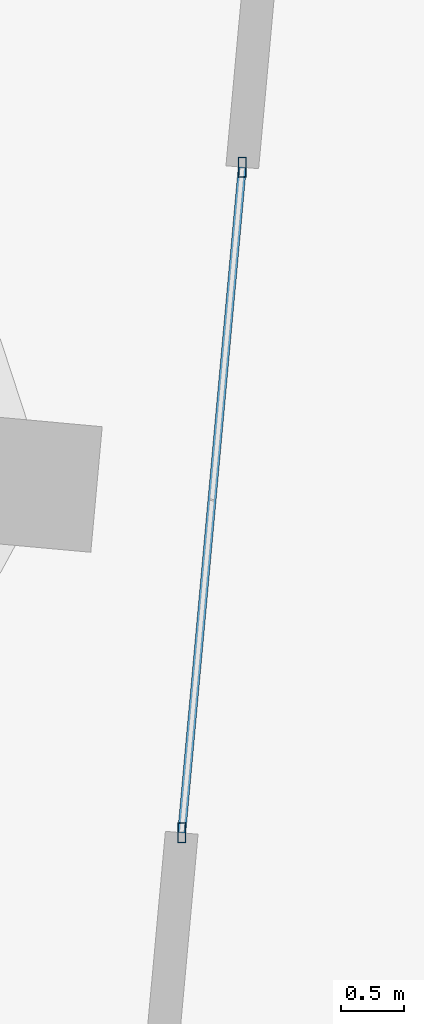
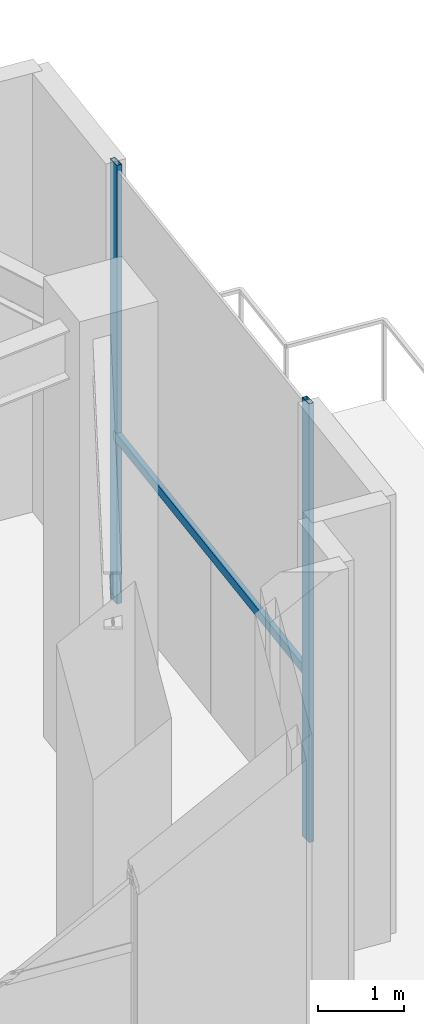
# One storey, part 10 of 18: 3 members, 1 element without a shape of its own.
"""IFC4 building model written with IfcOpenShell, lengths in metres."""

import ifcopenshell
import ifcopenshell.guid

model = None  # the IFC model being written
_history = None  # IfcOwnerHistory: only IFC2X3 demands one
_inside = {}  # id of a spatial element -> (the spatial element, [elements in it])
_under = {}  # id of a project, library or spatial element -> (it, [spatial elements below it])
_declared = {}  # id of a project -> (the project, [libraries it declares])
_typed = {}  # id of a type object -> (the type object, [elements of that type])
_made_of = {}  # id of a material, layer set ... -> (it, [elements and type objects made of it])


def new_model(schema):
    """Start an empty IFC model of exactly this schema.

    Asked for "IFC4X3", IfcOpenShell would pick the latest addendum, in which some entities
    have other attributes; the version numbers below select the first issue.
    IFC2X3 requires an IfcOwnerHistory on every rooted entity: one is made here for all.
    """
    global model, _history
    if schema == "IFC4X3":
        model = ifcopenshell.file(schema_version=(4, 3, 0, 0))
    else:
        model = ifcopenshell.file(schema=schema)
    _inside.clear()
    _under.clear()
    _declared.clear()
    _typed.clear()
    _made_of.clear()
    _history = None
    if model.schema == "IFC2X3":
        org = make("IfcOrganization", Name="unknown")
        user = make(
            "IfcPersonAndOrganization",
            ThePerson=make("IfcPerson", FamilyName="unknown"),
            TheOrganization=org,
        )
        app = make(
            "IfcApplication",
            ApplicationDeveloper=org,
            Version="unknown",
            ApplicationFullName="unknown",
            ApplicationIdentifier="unknown",
        )
        _history = make(
            "IfcOwnerHistory",
            OwningUser=user,
            OwningApplication=app,
            ChangeAction="ADDED",
            CreationDate=0,
        )
    return model


def make(cls, **values):
    """One entity of the class cls with the attributes given. An attribute that is None is left unset."""
    return model.create_entity(
        cls, **{name: value for name, value in values.items() if value is not None}
    )


def rooted(cls, **values):
    """An entity with a GlobalId (a new one), such as an element, a storey or a relation."""
    return make(cls, GlobalId=ifcopenshell.guid.new(), OwnerHistory=_history, **values)


def si_unit(unit_type, name, prefix=None):
    """IfcSIUnit, for example si_unit("LENGTHUNIT", "METRE", prefix="MILLI")."""
    return make("IfcSIUnit", UnitType=unit_type, Prefix=prefix, Name=name)


def assignment(units):
    """IfcUnitAssignment: the units of a project."""
    return None if units is None else make("IfcUnitAssignment", Units=units)


def point(xyz):
    """IfcCartesianPoint."""
    return None if xyz is None else make("IfcCartesianPoint", Coordinates=xyz)


def direction(xyz):
    """IfcDirection."""
    return None if xyz is None else make("IfcDirection", DirectionRatios=xyz)


def frame(location, z_axis=None, x_axis=None):
    """IfcAxis2Placement3D, a coordinate frame: its origin and axes. An axis left out is left unset."""
    return make(
        "IfcAxis2Placement3D",
        Location=point(location),
        Axis=direction(z_axis),
        RefDirection=direction(x_axis),
    )


def frame_2d(location, x_axis=None):
    """IfcAxis2Placement2D, a coordinate frame in the plane: its origin and x axis."""
    return make(
        "IfcAxis2Placement2D", Location=point(location), RefDirection=direction(x_axis)
    )


def origin():
    """The frame at (0, 0, 0) with its axes left unset."""
    return frame((0.0, 0.0, 0.0))


def origin_2d():
    """The frame at (0, 0) in the plane with its x axis left unset."""
    return frame_2d((0.0, 0.0))


def place(relative_to, where):
    """IfcLocalPlacement: puts the frame where relative to a parent placement (None: the world)."""
    return make(
        "IfcLocalPlacement", PlacementRelTo=relative_to, RelativePlacement=where
    )


def context(
    kind, dimensions, precision=None, world=None, true_north=None, identifier=None
):
    """IfcGeometricRepresentationContext, for example the 3D "Model" context."""
    return make(
        "IfcGeometricRepresentationContext",
        ContextIdentifier=identifier,
        ContextType=kind,
        CoordinateSpaceDimension=dimensions,
        Precision=precision,
        WorldCoordinateSystem=world,
        TrueNorth=true_north,
    )


def subcontext(parent, identifier, kind, view, scale=None):
    """IfcGeometricRepresentationSubContext, for example "Body" below "Model"."""
    return make(
        "IfcGeometricRepresentationSubContext",
        ContextIdentifier=identifier,
        ContextType=kind,
        ParentContext=parent,
        TargetScale=scale,
        TargetView=view,
    )


def project(units=None, contexts=None):
    """IfcProject with its units and contexts."""
    return rooted(
        "IfcProject",
        Name="project",
        RepresentationContexts=contexts,
        UnitsInContext=assignment(units),
    )


def spatial(cls, under=None, at=None, **own):
    """A site, building, storey or space (cls), placed at a placement, below another one or the project."""
    s = rooted(cls, ObjectPlacement=at, **own)
    if under is not None:
        _under.setdefault(under.id(), (under, []))[1].append(s)
    return s


def profile(cls, at=None, kind="AREA", **sizes):
    """A parametric profile (cls). Its sizes go by their IFC names, for example OverallWidth=200.0."""
    return make(cls, ProfileType=kind, Position=at, **sizes)


def hollow_rectangle(**sizes):
    """IfcRectangleHollowProfileDef."""
    return profile("IfcRectangleHollowProfileDef", **sizes)


def extrude(swept, where, along, depth):
    """IfcExtrudedAreaSolid: the profile swept, set in the frame where, extruded along a direction by depth."""
    return make(
        "IfcExtrudedAreaSolid",
        SweptArea=swept,
        Position=where,
        ExtrudedDirection=direction(along),
        Depth=depth,
    )


def shape(context_of_items, identifier, shape_type, items):
    """IfcShapeRepresentation: the items that make up one representation, for example the "Body"."""
    return make(
        "IfcShapeRepresentation",
        ContextOfItems=context_of_items,
        RepresentationIdentifier=identifier,
        RepresentationType=shape_type,
        Items=items,
    )


def source(mapping_origin, context_of_items, identifier, shape_type, items):
    """IfcRepresentationMap: a shape defined once, which mapped items show again and again."""
    return make(
        "IfcRepresentationMap",
        MappingOrigin=mapping_origin,
        MappedRepresentation=shape(context_of_items, identifier, shape_type, items),
    )


def transform(
    local_origin,
    x_axis=None,
    y_axis=None,
    z_axis=None,
    scale=None,
    scale2=None,
    scale3=None,
    uniform=True,
):
    """IfcCartesianTransformationOperator3D, or its non-uniform kind. x_axis, y_axis, z_axis: its Axis1, 2, 3."""
    if uniform:
        return make(
            "IfcCartesianTransformationOperator3D",
            Axis1=direction(x_axis),
            Axis2=direction(y_axis),
            LocalOrigin=point(local_origin),
            Scale=scale,
            Axis3=direction(z_axis),
        )
    return make(
        "IfcCartesianTransformationOperator3DnonUniform",
        Axis1=direction(x_axis),
        Axis2=direction(y_axis),
        LocalOrigin=point(local_origin),
        Scale=scale,
        Axis3=direction(z_axis),
        Scale2=scale2,
        Scale3=scale3,
    )


def mapped(mapping_source, mapping_target):
    """IfcMappedItem: shows the shape of a source again, moved by a transform."""
    return make(
        "IfcMappedItem", MappingSource=mapping_source, MappingTarget=mapping_target
    )


def material(Name=None, Category=None):
    """IfcMaterial."""
    return make("IfcMaterial", Name=Name, Category=Category)


def material_profile(
    of_material, cross_section, Name=None, Category=None, Priority=None
):
    """IfcMaterialProfile: a cross section and its material."""
    return make(
        "IfcMaterialProfile",
        Name=Name,
        Material=of_material,
        Profile=cross_section,
        Priority=Priority,
        Category=Category,
    )


def profile_set(profiles, Name=None, composite=None):
    """IfcMaterialProfileSet."""
    return make(
        "IfcMaterialProfileSet",
        Name=Name,
        MaterialProfiles=profiles,
        CompositeProfile=composite,
    )


def made_of(thing, what):
    """Note that an element or type object is made of a material, layer set ...; save() writes the relation."""
    if what is not None:
        _made_of.setdefault(what.id(), (what, []))[1].append(thing)
    return thing


def type_object(cls, material=None, **own):
    """A type object (cls), such as IfcWallType, which elements share."""
    return made_of(rooted(cls, **own), material)


def type_shapes(of_type, sources):
    """Give a type object the sources (RepresentationMaps) that its elements show as mapped items."""
    of_type.RepresentationMaps = sources


def element(
    cls,
    number,
    at=None,
    inside=None,
    cuts=None,
    type_object=None,
    material=None,
    context=None,
    identifier="Body",
    shape_type=None,
    held_by="IfcProductDefinitionShape",
    body=None,
    shapes=None,
    **own,
):
    """One element of the class cls, such as IfcWall. Its Tag is "e" and its number.

    at: its placement. inside: the storey or other place that contains it. cuts: it is an
    opening in that element (IfcRelVoidsElement). A single representation is given by context,
    identifier, shape_type and body (its items); several are given by shapes. held_by: the class
    of the entity that holds the representations. save() writes the other relations.
    """
    e = rooted(cls, Tag="e%d" % number, ObjectPlacement=at, **own)
    if body is not None:
        shapes = [shape(context, identifier, shape_type, body)]
    if shapes is not None:
        e.Representation = make(held_by, Representations=shapes)
    if inside is not None:
        _inside.setdefault(inside.id(), (inside, []))[1].append(e)
    if cuts is not None:
        rooted(
            "IfcRelVoidsElement", RelatingBuildingElement=cuts, RelatedOpeningElement=e
        )
    if type_object is not None:
        _typed.setdefault(type_object.id(), (type_object, []))[1].append(e)
    return made_of(e, material)


def aggregate(whole, parts):
    """IfcRelAggregates: a whole, such as a stair, and the parts it consists of."""
    return rooted("IfcRelAggregates", RelatingObject=whole, RelatedObjects=parts)


def save(model, path):
    """Write the relations noted so far, then the file.

    IfcRelAggregates (storeys below a building ...), IfcRelContainedInSpatialStructure (elements
    in a storey), IfcRelDefinesByType, IfcRelAssociatesMaterial and IfcRelDeclares: one each for
    every whole, place, type object, material and project.
    """
    for whole, parts in _under.values():
        aggregate(whole, parts)
    for where, things in _inside.values():
        rooted(
            "IfcRelContainedInSpatialStructure",
            RelatedElements=things,
            RelatingStructure=where,
        )
    for kind, things in _typed.values():
        rooted("IfcRelDefinesByType", RelatedObjects=things, RelatingType=kind)
    for what, things in _made_of.values():
        rooted("IfcRelAssociatesMaterial", RelatedObjects=things, RelatingMaterial=what)
    for by, libraries in _declared.values():
        rooted("IfcRelDeclares", RelatingContext=by, RelatedDefinitions=libraries)
    model.write(path)


model = new_model("IFC4")

# Units and contexts
model_context = context("Model", 3, precision=1e-05, world=origin(), true_north=direction((0.0, 1.0)))
body_context = subcontext(model_context, "Body", "Model", "MODEL_VIEW")
ifc_project = project(units=[si_unit("LENGTHUNIT", "METRE"), si_unit("AREAUNIT", "SQUARE_METRE"), si_unit("VOLUMEUNIT", "CUBIC_METRE"), si_unit("PLANEANGLEUNIT", "RADIAN"), si_unit("MASSUNIT", "GRAM", prefix="KILO")], contexts=[model_context])

# Site, building, storey
site_placement = place(None, origin())
site = spatial("IfcSite", under=ifc_project, at=site_placement, CompositionType="ELEMENT")
building_placement = place(site_placement, origin())
building = spatial("IfcBuilding", under=site, at=building_placement, Name="Astriad Promenade Condominiums", CompositionType="ELEMENT")
storey_placement = place(building_placement, frame((0.0, 0.0, 264.300048828125)))
storey = spatial("IfcBuildingStorey", under=building, at=storey_placement, Name="L76", CompositionType="ELEMENT", Elevation=264.300048828125)

# Curtain wall, members
ifc_material_1 = material(Name="Anodised aluminium Black Dark Glass Unitised", Category="aluminium")
curtain_wall_type = type_object("IfcCurtainWallType", Name="CW-TMD-LANTERN", PredefinedType="USERDEFINED", material=ifc_material_1)
curtain_wall_placement = place(storey_placement, origin())
curtain_wall = element("IfcCurtainWall", 1, at=curtain_wall_placement, inside=storey, type_object=curtain_wall_type, Name="CW-LNT-L76-13-1", ObjectType="UNITISED_CURTAIN_WALL", PredefinedType="USERDEFINED")
ifc_material_2 = material(Name="Anodised aluminium 6063-T6 Black", Category="aluminium")
ifc_material_profile_1 = material_profile(ifc_material_2, hollow_rectangle(XDim=0.06494140625, YDim=0.159912109375, WallThickness=0.00390625, at=origin_2d()), Name="ALU-MUL-65X160")
ifc_profile_set_1 = profile_set([ifc_material_profile_1], Name="Anodised aluminium 6063-T6 Black")
member_type_1 = type_object("IfcMemberType", Name="MUL-ALU-MUL-65X160", PredefinedType="MULLION", material=ifc_profile_set_1)
shared_shape_1 = source(origin(), body_context, "Body", "SweptSolid", [
    extrude(hollow_rectangle(XDim=0.06494140625, YDim=0.159912109375, WallThickness=0.00390625, at=origin_2d()), origin(), (0.0, 0.0, 1.0), 6.199951171875),
])
type_shapes(member_type_1, [shared_shape_1])
member_1_placement = place(storey_placement, frame((51.97021484375, 20.29833984375, 0.0), z_axis=(0.0, 0.0, 1.0), x_axis=(1.0, 0.0, 0.0)))
member_1 = element("IfcMember", 2, at=member_1_placement, type_object=member_type_1, Name="CW-LNT-L76-13-1-MUL-00", PredefinedType="MULLION", context=body_context, shape_type="MappedRepresentation", body=[
    mapped(shared_shape_1, transform((0.0, 0.0, 0.0), scale=1.0)),
])
member_2_placement = place(storey_placement, frame((51.48974609375, 15.02001953125, 0.0), z_axis=(0.0, 0.0, 1.0), x_axis=(1.0, 0.0, 0.0)))
member_2 = element("IfcMember", 3, at=member_2_placement, type_object=member_type_1, Name="CW-LNT-L76-13-1-MUL-01", PredefinedType="MULLION", context=body_context, shape_type="MappedRepresentation", body=[
    mapped(shared_shape_1, transform((0.0, 0.0, 0.0), scale=1.0)),
])
ifc_material_profile_2 = material_profile(ifc_material_2, hollow_rectangle(XDim=0.06494140625, YDim=0.1298828125, WallThickness=0.00390625, at=origin_2d()), Name="ALU-TRN-65X130")
ifc_profile_set_2 = profile_set([ifc_material_profile_2], Name="Anodised aluminium 6063-T6 Black")
member_type_2 = type_object("IfcMemberType", Name="TRN-ALU-TRN-65X130", PredefinedType="USERDEFINED", material=ifc_profile_set_2)
shared_shape_2 = source(origin(), body_context, "Body", "SweptSolid", [
    extrude(hollow_rectangle(XDim=0.06494140625, YDim=0.1298828125, WallThickness=0.00390625, at=origin_2d()), origin(), (0.0, 0.0, 1.0), 5.300048828125),
])
type_shapes(member_type_2, [shared_shape_2])
member_3_placement = place(storey_placement, frame((51.97021484375, 20.29833984375, 2.349853515625), z_axis=(-0.090652035688, -0.995882627836, 0.0), x_axis=(0.995882627836, -0.090652035688, 0.0)))
member_3 = element("IfcMember", 4, at=member_3_placement, type_object=member_type_2, Name="CW-LNT-L76-13-1-TRN-00-0", ObjectType="TRANSOM", PredefinedType="USERDEFINED", context=body_context, shape_type="MappedRepresentation", body=[
    mapped(shared_shape_2, transform((0.0, 0.0, 0.0), scale=1.0)),
])
aggregate(curtain_wall, [member_1, member_2, member_3])

save(model, "model.ifc")
